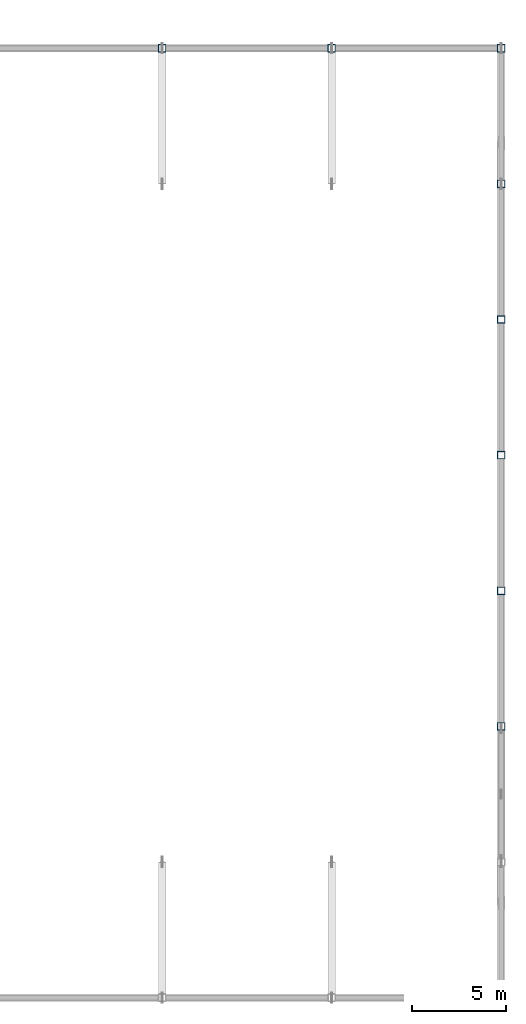
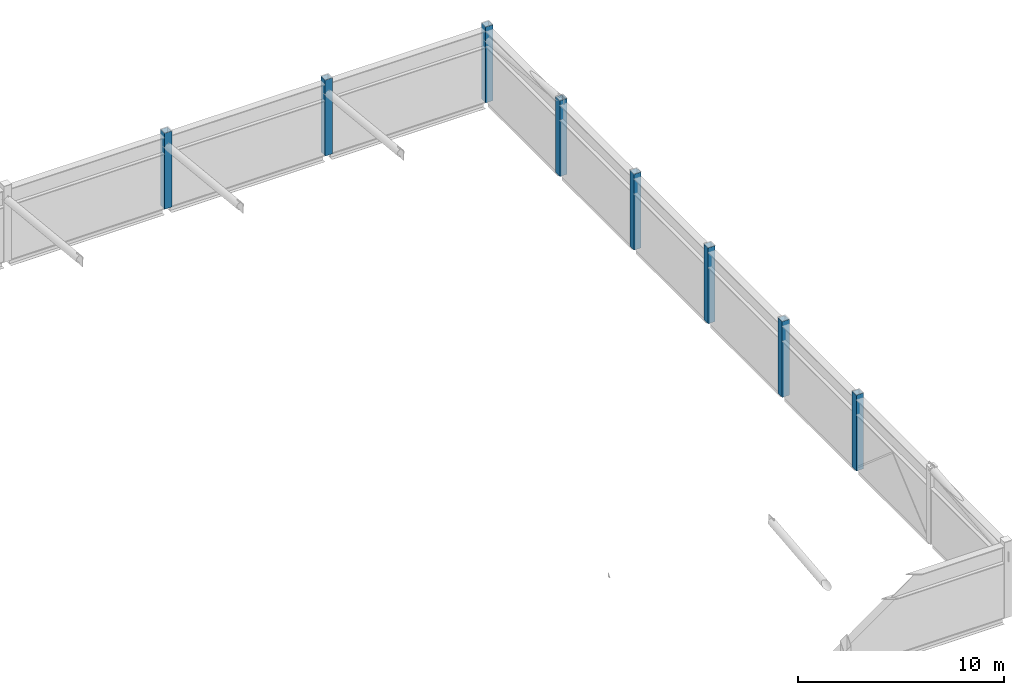
# One storey, part 11 of 124: 8 columns.
"""IFC4 building model written with IfcOpenShell, lengths in metres."""

from ifc_helpers import new_model, si_unit, direction, frame, origin, origin_2d, place, context, subcontext, project, spatial, hollow_rectangle, extrude, material, material_profile, profile_set, type_object, element, save


model = new_model("IFC4")

# Units and contexts
model_context = context("Model", 3, precision=1e-05, world=origin(), true_north=direction((0.0, 1.0)))
body_context = subcontext(model_context, "Body", "Model", "MODEL_VIEW")
ifc_project = project(units=[si_unit("LENGTHUNIT", "METRE"), si_unit("AREAUNIT", "SQUARE_METRE"), si_unit("VOLUMEUNIT", "CUBIC_METRE"), si_unit("PLANEANGLEUNIT", "RADIAN"), si_unit("MASSUNIT", "GRAM", prefix="KILO")], contexts=[model_context])

# Site, building, storey
site_placement = place(None, origin())
site = spatial("IfcSite", under=ifc_project, at=site_placement, CompositionType="ELEMENT")
building_placement = place(site_placement, origin())
building = spatial("IfcBuilding", under=site, at=building_placement, Name="Celestram Park Convention Centre", CompositionType="ELEMENT")
storey_placement = place(building_placement, frame((0.0, 0.0, 15.300048828125)))
storey = spatial("IfcBuildingStorey", under=building, at=storey_placement, Name="L03", CompositionType="ELEMENT", Elevation=15.300048828125)

# Columns
ifc_material = material(Name="Steel ASTM A500 Grade C", Category="steel")
ifc_material_profile = material_profile(ifc_material, hollow_rectangle(XDim=0.39990234375, YDim=0.39990234375, WallThickness=0.01611328125, at=origin_2d()), Name="HSS400X400X16")
ifc_profile_set = profile_set([ifc_material_profile], Name="Steel ASTM A500 Grade C")
column_type = type_object("IfcColumnType", Name="STR-COL-HSS400", PredefinedType="COLUMN", material=ifc_profile_set)
for number, where, z_axis, x_axis, name in (
    (1, (198.0, 165.60009765625, 0.0), (0.0, 0.0, 1.0), (1.0, 0.0, 0.0), "Column CN-L03-160"),
    (2, (207.0, 165.60009765625, 0.0), (0.0, 0.0, 1.0), (1.0, 0.0, 0.0), "Column CN-L03-162"),
    (3, (216.0, 129.60009765625, 0.0), (0.0, 0.0, 1.0), (1.0, 0.0, 0.0), "Column CN-L03-165"),
    (4, (216.0, 136.800048828125, 0.0), (0.0, 0.0, 1.0), (1.0, 0.0, 0.0), "Column CN-L03-166"),
    (5, (216.0, 144.0, 0.0), (0.0, 0.0, 1.0), (1.0, 0.0, 0.0), "Column CN-L03-167"),
    (6, (216.0, 151.199951171875, 0.0), (0.0, 0.0, 1.0), (1.0, 0.0, 0.0), "Column CN-L03-168"),
    (7, (216.0, 158.39990234375, 0.0), (0.0, 0.0, 1.0), (1.0, 0.0, 0.0), "Column CN-L03-169"),
    (8, (216.0, 165.60009765625, 0.0), (0.0, 0.0, 1.0), (1.0, 0.0, 0.0), "Column CN-L03-170"),
):
    element("IfcColumn", number, at=place(storey_placement, frame(where, z_axis=z_axis, x_axis=x_axis)), inside=storey, type_object=column_type, Name=name, PredefinedType="COLUMN", context=body_context, shape_type="SweptSolid", body=[
        extrude(hollow_rectangle(XDim=0.39990234375, YDim=0.39990234375, WallThickness=0.01611328125, at=origin_2d()), origin(), (0.0, 0.0, 1.0), 4.5),
    ])

save(model, "model.ifc")
